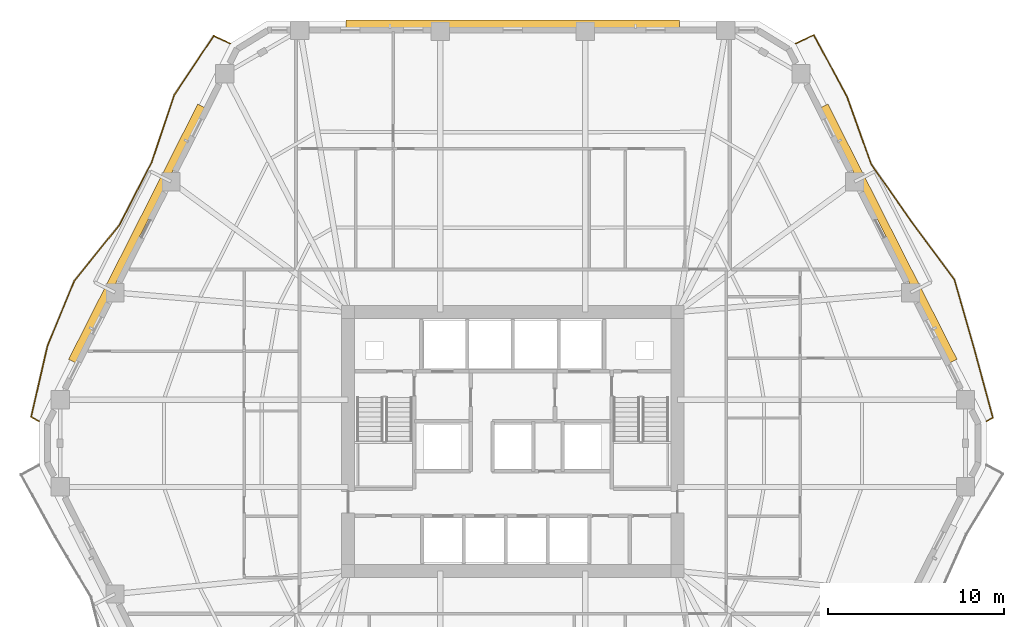
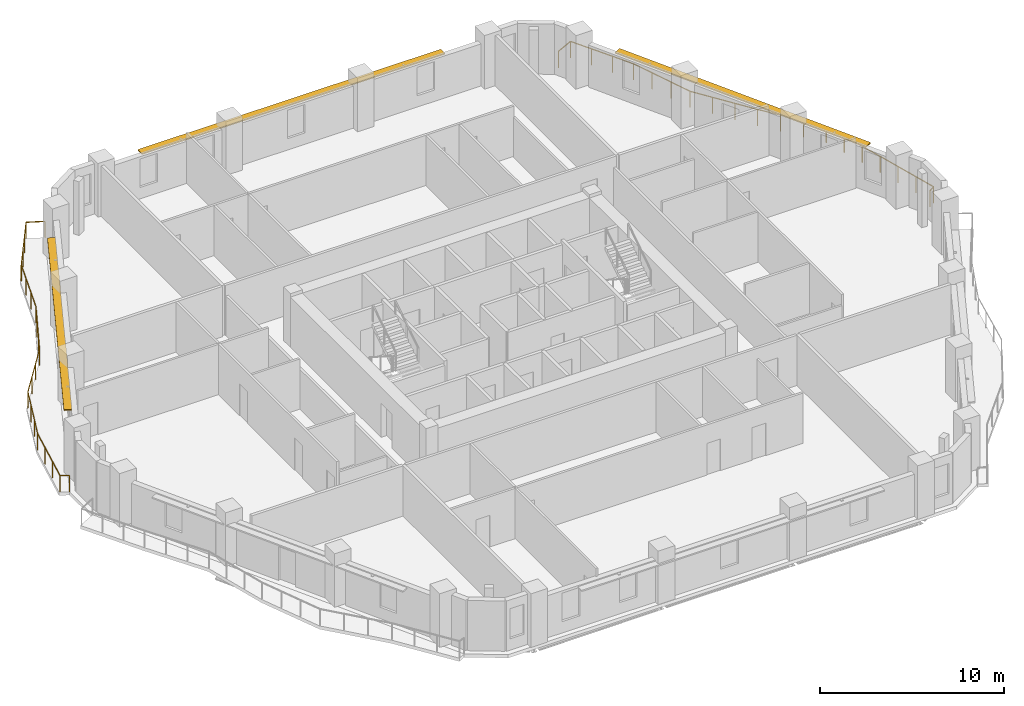
# One storey, part 13 of 13: 3 shading devices, 2 railings.
"""IFC4 building model written with IfcOpenShell, lengths in metres."""

from ifc_helpers import new_model, si_unit, direction, frame, origin, origin_2d, place, context, subcontext, project, spatial, rectangle, extrude, material, layer, layer_set, type_object, element, save


model = new_model("IFC4")

# Units and contexts
model_context = context("Model", 3, precision=1e-05, world=origin(), true_north=direction((0.0, 1.0)))
body_context = subcontext(model_context, "Body", "Model", "MODEL_VIEW")
ifc_project = project(units=[si_unit("LENGTHUNIT", "METRE"), si_unit("AREAUNIT", "SQUARE_METRE"), si_unit("VOLUMEUNIT", "CUBIC_METRE"), si_unit("PLANEANGLEUNIT", "RADIAN"), si_unit("MASSUNIT", "GRAM", prefix="KILO")], contexts=[model_context])

# Site, building, storey
site_placement = place(None, origin())
site = spatial("IfcSite", under=ifc_project, at=site_placement, CompositionType="ELEMENT")
building_placement = place(site_placement, origin())
building = spatial("IfcBuilding", under=site, at=building_placement, Name="Cinnabar Lancet Tower", CompositionType="ELEMENT")
storey_placement = place(building_placement, frame((0.0, 0.0, 83.550048828125)))
storey = spatial("IfcBuildingStorey", under=building, at=storey_placement, Name="L21", CompositionType="ELEMENT", Elevation=83.550048828125)

# Railings
ifc_material_1 = material(Name="Laminated safety glass and bronze stainless steel balustrade", Category="steel")
railing_type = type_object("IfcRailingType", Name="ENV-RLG-BAL-1100", PredefinedType="BALUSTRADE", material=ifc_material_1)
railing_1_placement = place(storey_placement, frame((59.367919921875, 27.049072265625, 0.0)))
element("IfcRailing", 1, at=railing_1_placement, inside=storey, type_object=railing_type, Name="L21 Face 3 Wave Balcony Balustrade", PredefinedType="BALUSTRADE", context=body_context, shape_type="SweptSolid", body=[
    extrude(rectangle(XDim=0.048095703125, YDim=0.048095703125, at=origin_2d()), frame((0.0, 0.0, 1.076171875), z_axis=(0.859676249341, 0.51083925683, 0.0), x_axis=(-0.51083925683, 0.859676249341, 0.0)), (0.0, 0.0, 1.0), 0.412841796875),
    extrude(rectangle(XDim=0.048095703125, YDim=0.048095703125, at=origin_2d()), frame((0.35498046875, 0.2109375, 1.076171875), z_axis=(-0.261708476626, 0.965146969773, 0.0), x_axis=(-0.965146969773, -0.261708476626, 0.0)), (0.0, 0.0, 1.0), 4.091552734375),
    extrude(rectangle(XDim=0.048095703125, YDim=0.048095703125, at=origin_2d()), frame((-0.7158203125, 4.159912109375, 1.076171875), z_axis=(-0.275353545846, 0.9613430318, 0.0), x_axis=(-0.9613430318, -0.275353545846, 0.0)), (0.0, 0.0, 1.0), 4.07861328125),
    extrude(rectangle(XDim=0.048095703125, YDim=0.048095703125, at=origin_2d()), frame((-1.8388671875, 8.080810546875, 1.076171875), z_axis=(-0.597315467677, 0.802006379073, 0.0), x_axis=(-0.802006379073, -0.597315467677, 0.0)), (0.0, 0.0, 1.0), 4.064697265625),
    extrude(rectangle(XDim=0.048095703125, YDim=0.048095703125, at=origin_2d()), frame((-4.266845703125, 11.3408203125, 1.076171875), z_axis=(-0.571739734523, 0.820435052864, 0.0), x_axis=(-0.820435052864, -0.571739734523, 0.0)), (0.0, 0.0, 1.0), 4.04541015625),
    extrude(rectangle(XDim=0.048095703125, YDim=0.048095703125, at=origin_2d()), frame((-6.579833984375, 14.659912109375, 1.076171875), z_axis=(-0.33624832823, 0.941773360083, 0.0), x_axis=(-0.941773360083, -0.33624832823, 0.0)), (0.0, 0.0, 1.0), 4.0390625),
    extrude(rectangle(XDim=0.048095703125, YDim=0.048095703125, at=origin_2d()), frame((-7.93798828125, 18.4638671875, 1.076171875), z_axis=(-0.474117979299, 0.880461323231, 0.0), x_axis=(-0.880461323231, -0.474117979299, 0.0)), (0.0, 0.0, 1.0), 4.00927734375),
    extrude(rectangle(XDim=0.048095703125, YDim=0.048095703125, at=origin_2d()), frame((-9.8388671875, 21.993896484375, 1.076171875), z_axis=(-0.904130352346, -0.427256721383, 0.0), x_axis=(0.427256721383, -0.904130352346, 0.0)), (0.0, 0.0, 1.0), 1.1513671875),
    extrude(rectangle(XDim=0.0419921875, YDim=0.0419921875, at=origin_2d()), origin(), (0.0, 0.0, 1.0), 1.052001953125),
    extrude(rectangle(XDim=0.0419921875, YDim=0.0419921875, at=origin_2d()), frame((0.35498046875, 0.2109375, 0.0)), (0.0, 0.0, 1.0), 1.052001953125),
    extrude(rectangle(XDim=0.0419921875, YDim=0.0419921875, at=origin_2d()), frame((-0.001953125, 1.52734375, 0.0)), (0.0, 0.0, 1.0), 1.052001953125),
    extrude(rectangle(XDim=0.0419921875, YDim=0.0419921875, at=origin_2d()), frame((-0.35888671875, 2.843505859375, 0.0)), (0.0, 0.0, 1.0), 1.052001953125),
    extrude(rectangle(XDim=0.0419921875, YDim=0.0419921875, at=origin_2d()), frame((-0.7158203125, 4.159912109375, 0.0)), (0.0, 0.0, 1.0), 1.052001953125),
    extrude(rectangle(XDim=0.0419921875, YDim=0.0419921875, at=origin_2d()), frame((-1.090087890625, 5.466796875, 0.0)), (0.0, 0.0, 1.0), 1.052001953125),
    extrude(rectangle(XDim=0.0419921875, YDim=0.0419921875, at=origin_2d()), frame((-1.464599609375, 6.77392578125, 0.0)), (0.0, 0.0, 1.0), 1.052001953125),
    extrude(rectangle(XDim=0.0419921875, YDim=0.0419921875, at=origin_2d()), frame((-1.8388671875, 8.080810546875, 0.0)), (0.0, 0.0, 1.0), 1.052001953125),
    extrude(rectangle(XDim=0.0419921875, YDim=0.0419921875, at=origin_2d()), frame((-2.648193359375, 9.16748046875, 0.0)), (0.0, 0.0, 1.0), 1.052001953125),
    extrude(rectangle(XDim=0.0419921875, YDim=0.0419921875, at=origin_2d()), frame((-3.45751953125, 10.254150390625, 0.0)), (0.0, 0.0, 1.0), 1.052001953125),
    extrude(rectangle(XDim=0.0419921875, YDim=0.0419921875, at=origin_2d()), frame((-4.266845703125, 11.3408203125, 0.0)), (0.0, 0.0, 1.0), 1.052001953125),
    extrude(rectangle(XDim=0.0419921875, YDim=0.0419921875, at=origin_2d()), frame((-5.037841796875, 12.447265625, 0.0)), (0.0, 0.0, 1.0), 1.052001953125),
    extrude(rectangle(XDim=0.0419921875, YDim=0.0419921875, at=origin_2d()), frame((-5.808837890625, 13.553466796875, 0.0)), (0.0, 0.0, 1.0), 1.052001953125),
    extrude(rectangle(XDim=0.0419921875, YDim=0.0419921875, at=origin_2d()), frame((-6.579833984375, 14.659912109375, 0.0)), (0.0, 0.0, 1.0), 1.052001953125),
    extrude(rectangle(XDim=0.0419921875, YDim=0.0419921875, at=origin_2d()), frame((-7.032470703125, 15.927978515625, 0.0)), (0.0, 0.0, 1.0), 1.052001953125),
    extrude(rectangle(XDim=0.0419921875, YDim=0.0419921875, at=origin_2d()), frame((-7.4853515625, 17.19580078125, 0.0)), (0.0, 0.0, 1.0), 1.052001953125),
    extrude(rectangle(XDim=0.0419921875, YDim=0.0419921875, at=origin_2d()), frame((-7.93798828125, 18.4638671875, 0.0)), (0.0, 0.0, 1.0), 1.052001953125),
    extrude(rectangle(XDim=0.0419921875, YDim=0.0419921875, at=origin_2d()), frame((-8.571533203125, 19.640625, 0.0)), (0.0, 0.0, 1.0), 1.052001953125),
    extrude(rectangle(XDim=0.0419921875, YDim=0.0419921875, at=origin_2d()), frame((-9.205322265625, 20.817138671875, 0.0)), (0.0, 0.0, 1.0), 1.052001953125),
    extrude(rectangle(XDim=0.0419921875, YDim=0.0419921875, at=origin_2d()), frame((-9.8388671875, 21.993896484375, 0.0)), (0.0, 0.0, 1.0), 1.052001953125),
    extrude(rectangle(XDim=0.0419921875, YDim=0.0419921875, at=origin_2d()), frame((-10.8798828125, 21.501953125, 0.0)), (0.0, 0.0, 1.0), 1.052001953125),
])
railing_2_placement = place(storey_placement, frame((16.31201171875, 48.551025390625, 0.0)))
element("IfcRailing", 2, at=railing_2_placement, inside=storey, type_object=railing_type, Name="L21 Face 5 Wave Balcony Balustrade", PredefinedType="BALUSTRADE", context=body_context, shape_type="SweptSolid", body=[
    extrude(rectangle(XDim=0.048095703125, YDim=0.048095703125, at=origin_2d()), frame((0.0, 0.0, 1.076171875), z_axis=(-0.905340288438, 0.42468689894, 0.0), x_axis=(-0.42468689894, -0.905340288438, 0.0)), (0.0, 0.0, 1.0), 1.038330078125),
    extrude(rectangle(XDim=0.048095703125, YDim=0.048095703125, at=origin_2d()), frame((-0.93994140625, 0.44091796875, 1.076171875), z_axis=(-0.554937455667, -0.831892072506, 0.0), x_axis=(0.831892072506, -0.554937455667, 0.0)), (0.0, 0.0, 1.0), 4.036376953125),
    extrude(rectangle(XDim=0.048095703125, YDim=0.048095703125, at=origin_2d()), frame((-3.179931640625, -2.9169921875, 1.076171875), z_axis=(-0.318523536284, -0.947914952321, 0.0), x_axis=(0.947914952321, -0.318523536284, 0.0)), (0.0, 0.0, 1.0), 4.050048828125),
    extrude(rectangle(XDim=0.048095703125, YDim=0.048095703125, at=origin_2d()), frame((-4.469970703125, -6.756103515625, 1.076171875), z_axis=(-0.457667526933, -0.889123408077, 0.0), x_axis=(0.889123408077, -0.457667526933, 0.0)), (0.0, 0.0, 1.0), 4.005126953125),
    extrude(rectangle(XDim=0.048095703125, YDim=0.048095703125, at=origin_2d()), frame((-6.302978515625, -10.317138671875, 1.076171875), z_axis=(-0.627909711655, -0.778286190298, 0.0), x_axis=(0.778286190298, -0.627909711655, 0.0)), (0.0, 0.0, 1.0), 4.09619140625),
    extrude(rectangle(XDim=0.048095703125, YDim=0.048095703125, at=origin_2d()), frame((-8.875, -13.505126953125, 1.076171875), z_axis=(-0.380832325805, -0.924644115118, 0.0), x_axis=(0.924644115118, -0.380832325805, 0.0)), (0.0, 0.0, 1.0), 4.017578125),
    extrude(rectangle(XDim=0.048095703125, YDim=0.048095703125, at=origin_2d()), frame((-10.405029296875, -17.219970703125, 1.076171875), z_axis=(-0.223870179234, -0.974618973163, 0.0), x_axis=(0.974618973163, -0.223870179234, 0.0)), (0.0, 0.0, 1.0), 4.127685546875),
    extrude(rectangle(XDim=0.048095703125, YDim=0.048095703125, at=origin_2d()), frame((-11.3291015625, -21.242919921875, 1.076171875), z_axis=(0.866177744575, -0.49973604513, 0.0), x_axis=(0.49973604513, 0.866177744575, 0.0)), (0.0, 0.0, 1.0), 0.518310546875),
    extrude(rectangle(XDim=0.0419921875, YDim=0.0419921875, at=origin_2d()), origin(), (0.0, 0.0, 1.0), 1.052001953125),
    extrude(rectangle(XDim=0.0419921875, YDim=0.0419921875, at=origin_2d()), frame((-0.93994140625, 0.44091796875, 0.0)), (0.0, 0.0, 1.0), 1.052001953125),
    extrude(rectangle(XDim=0.0419921875, YDim=0.0419921875, at=origin_2d()), frame((-1.6865234375, -0.678466796875, 0.0)), (0.0, 0.0, 1.0), 1.052001953125),
    extrude(rectangle(XDim=0.0419921875, YDim=0.0419921875, at=origin_2d()), frame((-2.433349609375, -1.797607421875, 0.0)), (0.0, 0.0, 1.0), 1.052001953125),
    extrude(rectangle(XDim=0.0419921875, YDim=0.0419921875, at=origin_2d()), frame((-3.179931640625, -2.9169921875, 0.0)), (0.0, 0.0, 1.0), 1.052001953125),
    extrude(rectangle(XDim=0.0419921875, YDim=0.0419921875, at=origin_2d()), frame((-3.60986328125, -4.19677734375, 0.0)), (0.0, 0.0, 1.0), 1.052001953125),
    extrude(rectangle(XDim=0.0419921875, YDim=0.0419921875, at=origin_2d()), frame((-4.0400390625, -5.476318359375, 0.0)), (0.0, 0.0, 1.0), 1.052001953125),
    extrude(rectangle(XDim=0.0419921875, YDim=0.0419921875, at=origin_2d()), frame((-4.469970703125, -6.756103515625, 0.0)), (0.0, 0.0, 1.0), 1.052001953125),
    extrude(rectangle(XDim=0.0419921875, YDim=0.0419921875, at=origin_2d()), frame((-5.0810546875, -7.943115234375, 0.0)), (0.0, 0.0, 1.0), 1.052001953125),
    extrude(rectangle(XDim=0.0419921875, YDim=0.0419921875, at=origin_2d()), frame((-5.69189453125, -9.130126953125, 0.0)), (0.0, 0.0, 1.0), 1.052001953125),
    extrude(rectangle(XDim=0.0419921875, YDim=0.0419921875, at=origin_2d()), frame((-6.302978515625, -10.317138671875, 0.0)), (0.0, 0.0, 1.0), 1.052001953125),
    extrude(rectangle(XDim=0.0419921875, YDim=0.0419921875, at=origin_2d()), frame((-7.160400390625, -11.3798828125, 0.0)), (0.0, 0.0, 1.0), 1.052001953125),
    extrude(rectangle(XDim=0.0419921875, YDim=0.0419921875, at=origin_2d()), frame((-8.017578125, -12.4423828125, 0.0)), (0.0, 0.0, 1.0), 1.052001953125),
    extrude(rectangle(XDim=0.0419921875, YDim=0.0419921875, at=origin_2d()), frame((-8.875, -13.505126953125, 0.0)), (0.0, 0.0, 1.0), 1.052001953125),
    extrude(rectangle(XDim=0.0419921875, YDim=0.0419921875, at=origin_2d()), frame((-9.385009765625, -14.743408203125, 0.0)), (0.0, 0.0, 1.0), 1.052001953125),
    extrude(rectangle(XDim=0.0419921875, YDim=0.0419921875, at=origin_2d()), frame((-9.89501953125, -15.981689453125, 0.0)), (0.0, 0.0, 1.0), 1.052001953125),
    extrude(rectangle(XDim=0.0419921875, YDim=0.0419921875, at=origin_2d()), frame((-10.405029296875, -17.219970703125, 0.0)), (0.0, 0.0, 1.0), 1.052001953125),
    extrude(rectangle(XDim=0.0419921875, YDim=0.0419921875, at=origin_2d()), frame((-10.713134765625, -18.56103515625, 0.0)), (0.0, 0.0, 1.0), 1.052001953125),
    extrude(rectangle(XDim=0.0419921875, YDim=0.0419921875, at=origin_2d()), frame((-11.02099609375, -19.90185546875, 0.0)), (0.0, 0.0, 1.0), 1.052001953125),
    extrude(rectangle(XDim=0.0419921875, YDim=0.0419921875, at=origin_2d()), frame((-11.3291015625, -21.242919921875, 0.0)), (0.0, 0.0, 1.0), 1.052001953125),
    extrude(rectangle(XDim=0.0419921875, YDim=0.0419921875, at=origin_2d()), frame((-10.880126953125, -21.501953125, 0.0)), (0.0, 0.0, 1.0), 1.052001953125),
])

# Shading devices
ifc_material_2 = material(Name="Pale limestone architectural aluminium sunshade", Category="masonry")
ifc_layer = layer(ifc_material_2, 0.080078125)
ifc_layer_set = layer_set([ifc_layer], Name="Pale limestone architectural aluminium sunshade")
shading_device_type = type_object("IfcShadingDeviceType", Name="ENV-SHD-LVR-450", PredefinedType="JALOUSIE", material=ifc_layer_set)
shading_device_1_placement = place(storey_placement, frame((53.81005859375, 37.743896484375, 2.639892578125), z_axis=(0.0, 0.0, 1.0), x_axis=(-0.451500573218, 0.892270829056, 0.0)))
element("IfcShadingDevice", 3, at=shading_device_1_placement, inside=storey, type_object=shading_device_type, Name="L21 Face 3 Horizontal Sunshade Canopy", PredefinedType="JALOUSIE", context=body_context, shape_type="SweptSolid", body=[
    extrude(rectangle(XDim=16.279052734375, YDim=0.449951171875, at=origin_2d()), origin(), (0.0, 0.0, 1.0), 0.080078125),
])
shading_device_2_placement = place(storey_placement, frame((32.39990234375, 49.669921875, 2.639892578125), z_axis=(0.0, 0.0, 1.0), x_axis=(-1.0, 0.0, 0.0)))
element("IfcShadingDevice", 4, at=shading_device_2_placement, inside=storey, type_object=shading_device_type, Name="L21 Face 4 Horizontal Sunshade Canopy", PredefinedType="JALOUSIE", context=body_context, shape_type="SweptSolid", body=[
    extrude(rectangle(XDim=18.993896484375, YDim=0.449951171875, at=origin_2d()), origin(), (0.0, 0.0, 1.0), 0.080078125),
])
shading_device_3_placement = place(storey_placement, frame((10.989990234375, 37.743896484375, 2.639892578125), z_axis=(0.0, 0.0, 1.0), x_axis=(-0.451500573218, -0.892270829056, 0.0)))
element("IfcShadingDevice", 5, at=shading_device_3_placement, inside=storey, type_object=shading_device_type, Name="L21 Face 5 Horizontal Sunshade Canopy", PredefinedType="JALOUSIE", context=body_context, shape_type="SweptSolid", body=[
    extrude(rectangle(XDim=16.279052734375, YDim=0.449951171875, at=origin_2d()), origin(), (0.0, 0.0, 1.0), 0.080078125),
])

save(model, "model.ifc")
